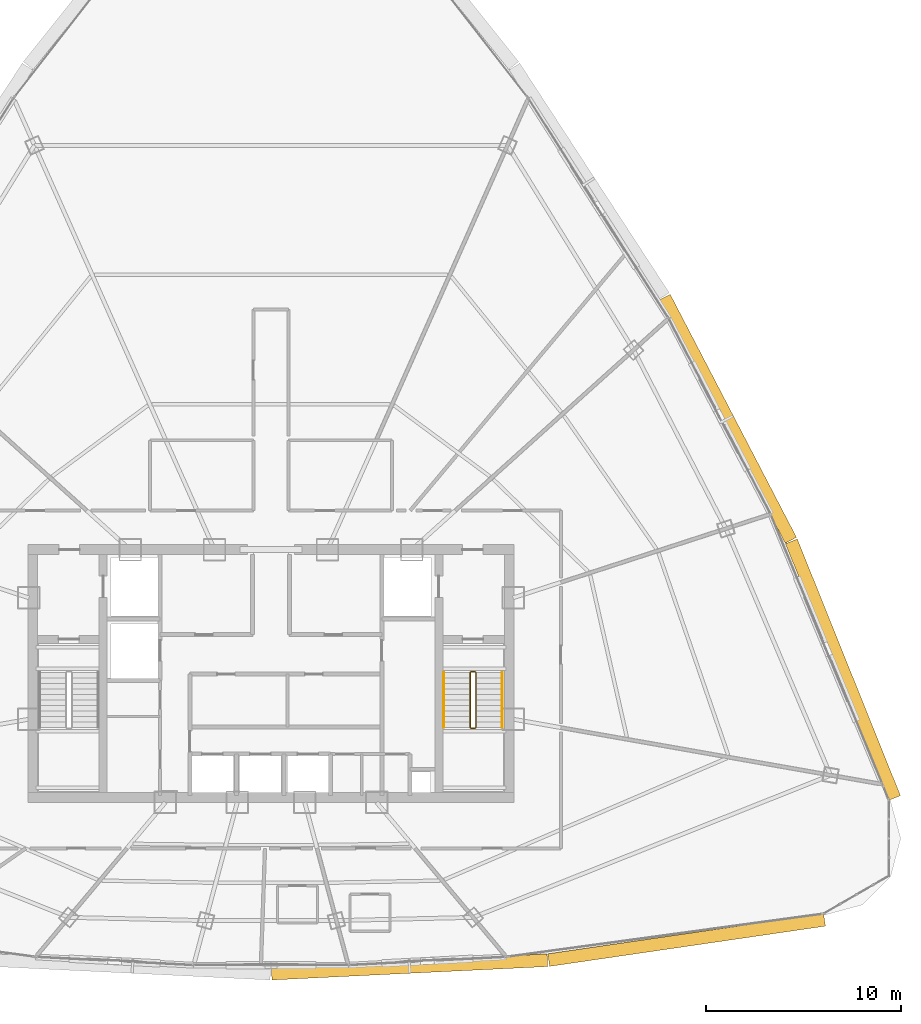
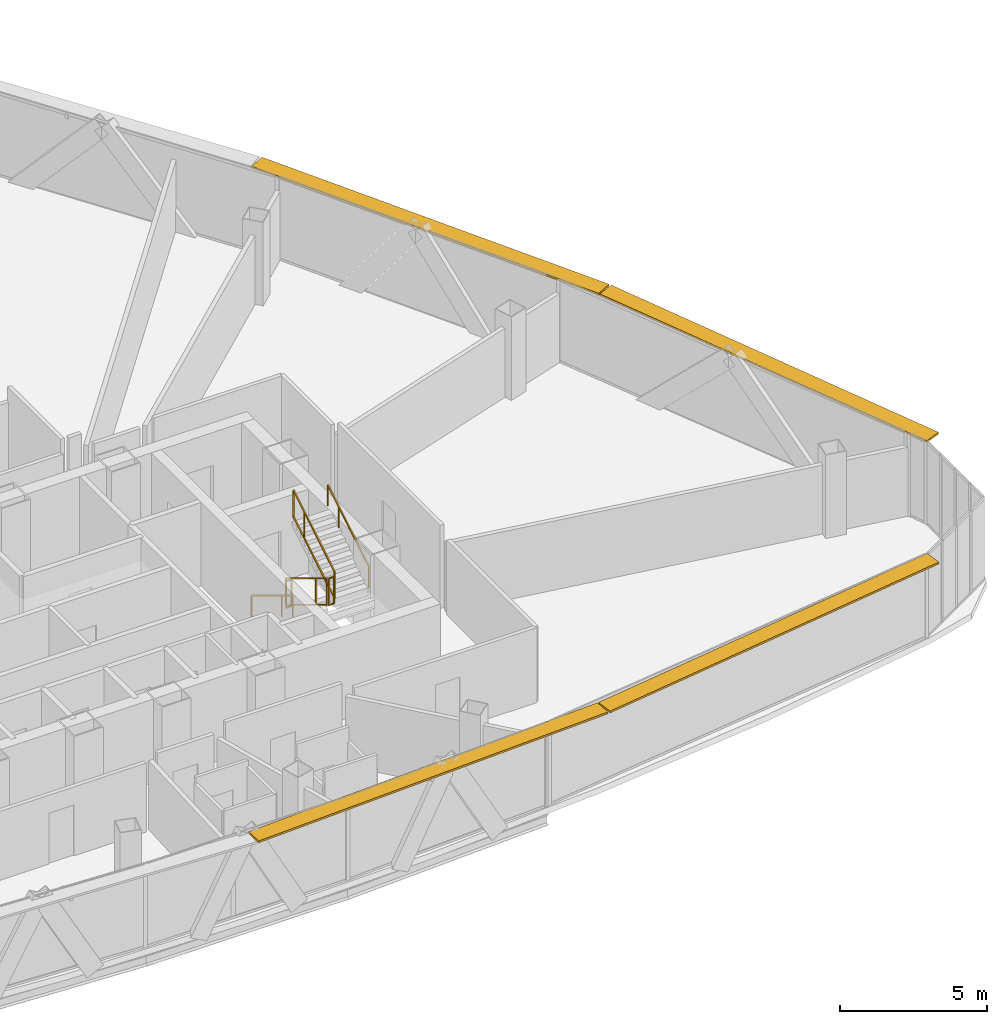
# One storey, part 39 of 40: 6 railings, 4 shading devices.
"""IFC4 building model written with IfcOpenShell, lengths in metres."""

from ifc_helpers import new_model, si_unit, direction, frame, origin, origin_2d, place, context, subcontext, project, spatial, rectangle, extrude, source, transform, mapped, material, layer, layer_set, type_object, element, save


model = new_model("IFC4")

# Units and contexts
model_context = context("Model", 3, precision=1e-05, world=origin(), true_north=direction((0.0, 1.0)))
body_context = subcontext(model_context, "Body", "Model", "MODEL_VIEW")
ifc_project = project(units=[si_unit("LENGTHUNIT", "METRE"), si_unit("AREAUNIT", "SQUARE_METRE"), si_unit("VOLUMEUNIT", "CUBIC_METRE"), si_unit("PLANEANGLEUNIT", "RADIAN"), si_unit("MASSUNIT", "GRAM", prefix="KILO"), si_unit("THERMODYNAMICTEMPERATUREUNIT", "KELVIN"), si_unit("POWERUNIT", "WATT")], contexts=[model_context])

# Site, building, storey
site_placement = place(None, origin())
site = spatial("IfcSite", under=ifc_project, at=site_placement, CompositionType="ELEMENT")
building_placement = place(site_placement, origin())
building = spatial("IfcBuilding", under=site, at=building_placement, Name="Yunzhuo Pagoda Commons", CompositionType="ELEMENT")
storey_placement = place(building_placement, frame((0.0, 0.0, 292.47998046875)))
storey = spatial("IfcBuildingStorey", under=building, at=storey_placement, Name="L73", CompositionType="ELEMENT", Elevation=292.47998046875)

# Railings
ifc_material = material(Name="Anodized aluminium 6063-T6", Category="aluminium")
railing_type_1 = type_object("IfcRailingType", Name="GR-ST2 Stair Well Guardrail 1160", PredefinedType="GUARDRAIL", material=ifc_material)
railing_1_placement = place(storey_placement, frame((58.199951171875, 33.89990234375, 0.169677734375)))
element("IfcRailing", 1, at=railing_1_placement, inside=storey, type_object=railing_type_1, Name="L73 ST2 stair guard 1", PredefinedType="GUARDRAIL", context=body_context, shape_type="SweptSolid", body=[
    extrude(rectangle(XDim=0.048095703125, YDim=0.048095703125, at=origin_2d()), frame((0.0, 0.0, 1.1259765625), z_axis=(0.0, -0.855406155521, 0.517957825596), x_axis=(1.0, 0.0, 0.0)), (0.0, 0.0, 1.0), 3.27294921875),
    extrude(rectangle(XDim=0.048095703125, YDim=0.048095703125, at=origin_2d()), frame((0.0, 0.0, 0.02392578125), z_axis=(0.0, -0.855406155521, 0.517957825596), x_axis=(1.0, 0.0, 0.0)), (0.0, 0.0, 1.0), 3.27294921875),
    extrude(rectangle(XDim=0.0419921875, YDim=0.0419921875, at=origin_2d()), origin(), (0.0, 0.0, 1.0), 1.101806640625),
    extrude(rectangle(XDim=0.0419921875, YDim=0.0419921875, at=origin_2d()), frame((0.0, -2.052978515625, 1.2431640625)), (0.0, 0.0, 1.0), 1.101806640625),
    extrude(rectangle(XDim=0.0419921875, YDim=0.0419921875, at=origin_2d()), frame((0.0, -2.7998046875, 1.6953125)), (0.0, 0.0, 1.0), 1.101806640625),
])
railing_2_placement = place(storey_placement, frame((58.25, 31.050048828125, 1.864990234375)))
element("IfcRailing", 2, at=railing_2_placement, inside=storey, type_object=railing_type_1, Name="L73 ST2 stair guard 2", PredefinedType="GUARDRAIL", context=body_context, shape_type="SweptSolid", body=[
    extrude(rectangle(XDim=0.048095703125, YDim=0.048095703125, at=origin_2d()), frame((0.0, 0.0, 1.1259765625), z_axis=(1.0, 0.0, 0.0), x_axis=(0.0, 1.0, 0.0)), (0.0, 0.0, 1.0), 0.199951171875),
    extrude(rectangle(XDim=0.048095703125, YDim=0.048095703125, at=origin_2d()), frame((0.0, 0.0, 0.02392578125), z_axis=(1.0, 0.0, 0.0), x_axis=(0.0, 1.0, 0.0)), (0.0, 0.0, 1.0), 0.199951171875),
    extrude(rectangle(XDim=0.0419921875, YDim=0.0419921875, at=origin_2d()), origin(), (0.0, 0.0, 1.0), 1.101806640625),
    extrude(rectangle(XDim=0.0419921875, YDim=0.0419921875, at=origin_2d()), frame((0.199951171875, 0.0, 0.0)), (0.0, 0.0, 1.0), 1.101806640625),
])
railing_3_placement = place(storey_placement, frame((58.5, 31.10009765625, 2.03466796875)))
element("IfcRailing", 3, at=railing_3_placement, inside=storey, type_object=railing_type_1, Name="L73 ST2 stair guard 3", PredefinedType="GUARDRAIL", context=body_context, shape_type="SweptSolid", body=[
    extrude(rectangle(XDim=0.048095703125, YDim=0.048095703125, at=origin_2d()), frame((0.0, 0.0, 1.1259765625), z_axis=(0.0, 0.855406155521, 0.517957825596), x_axis=(-1.0, 0.0, 0.0)), (0.0, 0.0, 1.0), 3.27294921875),
    extrude(rectangle(XDim=0.048095703125, YDim=0.048095703125, at=origin_2d()), frame((0.0, 0.0, 0.02392578125), z_axis=(0.0, 0.855406155521, 0.517957825596), x_axis=(-1.0, 0.0, 0.0)), (0.0, 0.0, 1.0), 3.27294921875),
    extrude(rectangle(XDim=0.0419921875, YDim=0.0419921875, at=origin_2d()), origin(), (0.0, 0.0, 1.0), 1.101806640625),
    extrude(rectangle(XDim=0.0419921875, YDim=0.0419921875, at=origin_2d()), frame((0.0, 2.052978515625, 1.2431640625)), (0.0, 0.0, 1.0), 1.101806640625),
    extrude(rectangle(XDim=0.0419921875, YDim=0.0419921875, at=origin_2d()), frame((0.0, 2.7998046875, 1.6953125)), (0.0, 0.0, 1.0), 1.101806640625),
])
railing_4_placement = place(storey_placement, frame((58.25, 33.949951171875, 0.0)))
element("IfcRailing", 4, at=railing_4_placement, inside=storey, type_object=railing_type_1, Name="L73 ST2 stair guard 4", PredefinedType="GUARDRAIL", context=body_context, shape_type="SweptSolid", body=[
    extrude(rectangle(XDim=0.048095703125, YDim=0.048095703125, at=origin_2d()), frame((0.0, 0.0, 1.1259765625), z_axis=(1.0, 0.0, 0.0), x_axis=(0.0, 1.0, 0.0)), (0.0, 0.0, 1.0), 0.199951171875),
    extrude(rectangle(XDim=0.048095703125, YDim=0.048095703125, at=origin_2d()), frame((0.0, 0.0, 0.02392578125), z_axis=(1.0, 0.0, 0.0), x_axis=(0.0, 1.0, 0.0)), (0.0, 0.0, 1.0), 0.199951171875),
    extrude(rectangle(XDim=0.0419921875, YDim=0.0419921875, at=origin_2d()), origin(), (0.0, 0.0, 1.0), 1.101806640625),
    extrude(rectangle(XDim=0.0419921875, YDim=0.0419921875, at=origin_2d()), frame((0.199951171875, 0.0, 0.0)), (0.0, 0.0, 1.0), 1.101806640625),
])
railing_type_2 = type_object("IfcRailingType", Name="HR-ST2 Stair Handrail 900", PredefinedType="HANDRAIL", material=ifc_material)
railing_5_placement = place(storey_placement, frame((56.85009765625, 33.89990234375, 0.169677734375)))
element("IfcRailing", 5, at=railing_5_placement, inside=storey, type_object=railing_type_2, Name="L73 ST2 stair handrail 1", PredefinedType="HANDRAIL", context=body_context, shape_type="SweptSolid", body=[
    extrude(rectangle(XDim=0.048095703125, YDim=0.048095703125, at=origin_2d()), frame((0.0, 0.0, 0.8759765625), z_axis=(0.0, -0.855406155521, 0.517957825596), x_axis=(1.0, 0.0, 0.0)), (0.0, 0.0, 1.0), 3.27294921875),
    extrude(rectangle(XDim=0.0419921875, YDim=0.0419921875, at=origin_2d()), origin(), (0.0, 0.0, 1.0), 0.851806640625),
    extrude(rectangle(XDim=0.0419921875, YDim=0.0419921875, at=origin_2d()), frame((0.0, -2.052978515625, 1.2431640625)), (0.0, 0.0, 1.0), 0.851806640625),
    extrude(rectangle(XDim=0.0419921875, YDim=0.0419921875, at=origin_2d()), frame((0.0, -2.7998046875, 1.6953125)), (0.0, 0.0, 1.0), 0.851806640625),
])
railing_6_placement = place(storey_placement, frame((59.85009765625, 31.10009765625, 2.03466796875)))
element("IfcRailing", 6, at=railing_6_placement, inside=storey, type_object=railing_type_2, Name="L73 ST2 stair handrail 2", PredefinedType="HANDRAIL", context=body_context, shape_type="SweptSolid", body=[
    extrude(rectangle(XDim=0.048095703125, YDim=0.048095703125, at=origin_2d()), frame((0.0, 0.0, 0.8759765625), z_axis=(0.0, 0.855406155521, 0.517957825596), x_axis=(-1.0, 0.0, 0.0)), (0.0, 0.0, 1.0), 3.27294921875),
    extrude(rectangle(XDim=0.0419921875, YDim=0.0419921875, at=origin_2d()), origin(), (0.0, 0.0, 1.0), 0.851806640625),
    extrude(rectangle(XDim=0.0419921875, YDim=0.0419921875, at=origin_2d()), frame((0.0, 2.052978515625, 1.2431640625)), (0.0, 0.0, 1.0), 0.851806640625),
    extrude(rectangle(XDim=0.0419921875, YDim=0.0419921875, at=origin_2d()), frame((0.0, 2.7998046875, 1.6953125)), (0.0, 0.0, 1.0), 0.851806640625),
])

# Shading devices
ifc_layer = layer(ifc_material, 0.080078125)
ifc_layer_set = layer_set([ifc_layer], Name="Anodized aluminium 6063-T6")
shading_device_type = type_object("IfcShadingDeviceType", Name="SH-SUN1 Pagoda Horizontal Sunshade Eave 650", PredefinedType="USERDEFINED", material=ifc_layer_set)
shared_shape_1 = source(origin(), body_context, "Body", "SweptSolid", [
    extrude(rectangle(XDim=14.2802734375, YDim=0.64990234375, at=origin_2d()), origin(), (0.0, 0.0, 1.0), 0.080078125),
])
shading_device_1_placement = place(storey_placement, frame((69.289794921875, 20.203369140625, 3.389892578125), z_axis=(0.0, 0.0, 1.0), x_axis=(0.989510666697, 0.144459823108, 0.0)))
element("IfcShadingDevice", 7, at=shading_device_1_placement, inside=storey, type_object=shading_device_type, Name="L73 horizontal pagoda sunshade eave F1.4", ObjectType="SUNSHADE", PredefinedType="USERDEFINED", context=body_context, shape_type="MappedRepresentation", body=[
    mapped(shared_shape_1, transform((0.0, 0.0, 0.0), scale=1.0)),
])
shared_shape_2 = source(origin(), body_context, "Body", "SweptSolid", [
    extrude(rectangle(XDim=14.14697265625, YDim=0.64990234375, at=origin_2d()), origin(), (0.0, 0.0, 1.0), 0.080078125),
])
shading_device_2_placement = place(storey_placement, frame((55.0966796875, 18.822021484375, 3.389892578125), z_axis=(0.0, 0.0, 1.0), x_axis=(0.998818043775, 0.04860571396, 0.0)))
element("IfcShadingDevice", 8, at=shading_device_2_placement, inside=storey, type_object=shading_device_type, Name="L73 horizontal pagoda sunshade eave F1.3", ObjectType="SUNSHADE", PredefinedType="USERDEFINED", context=body_context, shape_type="MappedRepresentation", body=[
    mapped(shared_shape_2, transform((0.0, 0.0, 0.0), scale=1.0)),
])
shared_shape_3 = source(origin(), body_context, "Body", "SweptSolid", [
    extrude(rectangle(XDim=14.165283203125, YDim=0.64990234375, at=origin_2d()), origin(), (0.0, 0.0, 1.0), 0.080078125),
])
shading_device_3_placement = place(storey_placement, frame((77.298583984375, 34.05029296875, 3.389892578125), z_axis=(0.0, 0.0, 1.0), x_axis=(-0.372987782576, 0.927836253899, 0.0)))
element("IfcShadingDevice", 9, at=shading_device_3_placement, inside=storey, type_object=shading_device_type, Name="L73 horizontal pagoda sunshade eave F2.1", ObjectType="SUNSHADE", PredefinedType="USERDEFINED", context=body_context, shape_type="MappedRepresentation", body=[
    mapped(shared_shape_3, transform((0.0, 0.0, 0.0), scale=1.0)),
])
shared_shape_4 = source(origin(), body_context, "Body", "SweptSolid", [
    extrude(rectangle(XDim=14.031005859375, YDim=0.64990234375, at=origin_2d()), origin(), (0.0, 0.0, 1.0), 0.080078125),
])
shading_device_4_placement = place(storey_placement, frame((71.394775390625, 46.904052734375, 3.389892578125), z_axis=(0.0, 0.0, 1.0), x_axis=(-0.461206683033, 0.88729273384, 0.0)))
element("IfcShadingDevice", 10, at=shading_device_4_placement, inside=storey, type_object=shading_device_type, Name="L73 horizontal pagoda sunshade eave F2.2", ObjectType="SUNSHADE", PredefinedType="USERDEFINED", context=body_context, shape_type="MappedRepresentation", body=[
    mapped(shared_shape_4, transform((0.0, 0.0, 0.0), scale=1.0)),
])

save(model, "model.ifc")
